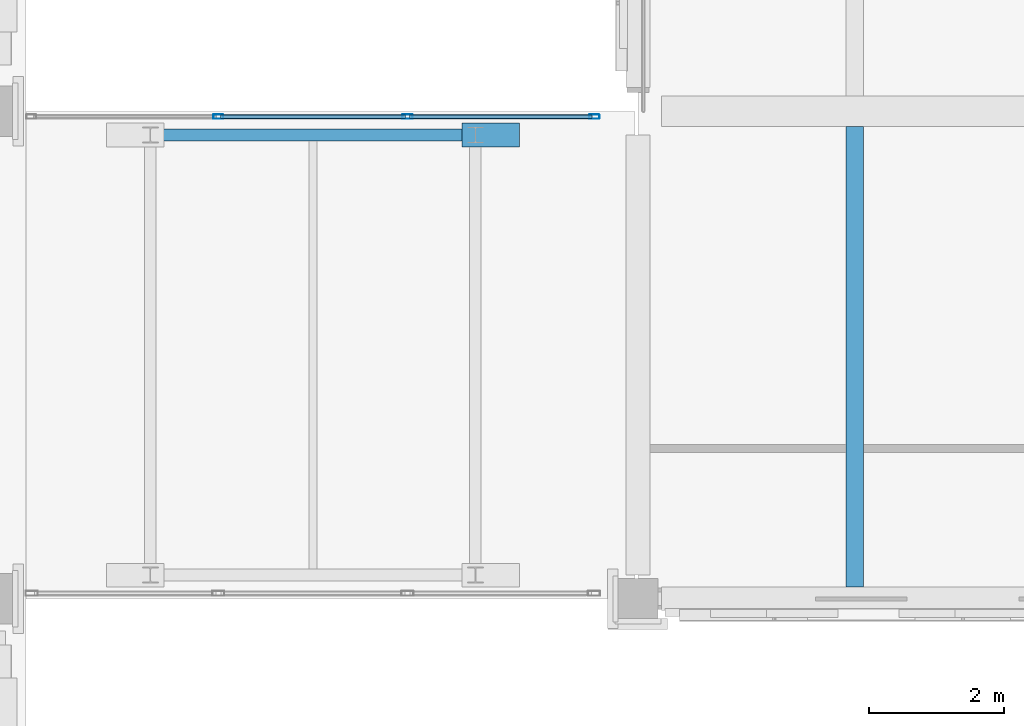
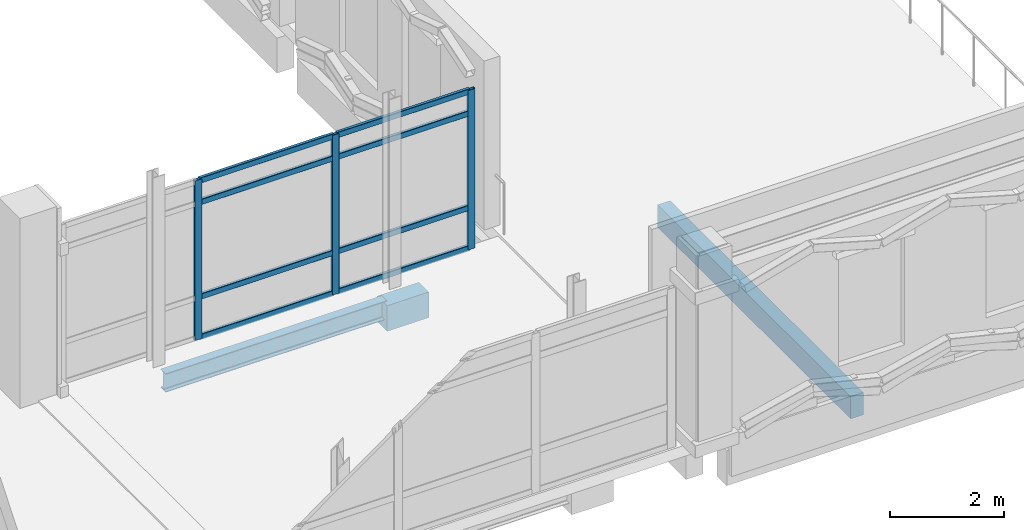
# One storey, part 109 of 180: 11 members, 3 beams, 1 element without a shape of its own.
"""IFC4 building model written with IfcOpenShell, lengths in metres."""

from ifc_helpers import new_model, si_unit, direction, frame, origin, origin_2d, place, context, subcontext, project, spatial, rectangle, hollow_rectangle, i_section, extrude, material, layer, layer_set, material_profile, profile_set, type_object, element, aggregate, save


model = new_model("IFC4")

# Units and contexts
model_context = context("Model", 3, precision=1e-05, world=origin(), true_north=direction((0.0, 1.0)))
body_context = subcontext(model_context, "Body", "Model", "MODEL_VIEW")
ifc_project = project(units=[si_unit("LENGTHUNIT", "METRE"), si_unit("AREAUNIT", "SQUARE_METRE"), si_unit("VOLUMEUNIT", "CUBIC_METRE"), si_unit("PLANEANGLEUNIT", "RADIAN"), si_unit("MASSUNIT", "GRAM", prefix="KILO")], contexts=[model_context])

# Site, building, storey
site_placement = place(None, origin())
site = spatial("IfcSite", under=ifc_project, at=site_placement, CompositionType="ELEMENT")
building_placement = place(site_placement, origin())
building = spatial("IfcBuilding", under=site, at=building_placement, Name="Asteropetra Specialist Clinic", CompositionType="ELEMENT")
storey_placement = place(building_placement, frame((0.0, 0.0, 4.419921875)))
storey = spatial("IfcBuildingStorey", under=building, at=storey_placement, Name="L01", CompositionType="ELEMENT", Elevation=4.419921875)

# Beams
ifc_material_1 = material(Name="Concrete C35/45", Category="concrete")
ifc_material_profile_1 = material_profile(ifc_material_1, rectangle(XDim=0.35009765625, YDim=0.550048828125, at=origin_2d()), Name="RCB 350x550")
ifc_profile_set_1 = profile_set([ifc_material_profile_1], Name="Concrete C35/45")
beam_type_1 = type_object("IfcBeamType", Name="BM-RC350x550", PredefinedType="BEAM", material=ifc_profile_set_1)
beam_1_placement = place(storey_placement, frame((83.800048828125, 83.64990234375, -0.559814453125), z_axis=(1.0, 0.0, 0.0), x_axis=(0.0, 1.0, 0.0)))
element("IfcBeam", 1, at=beam_1_placement, inside=storey, type_object=beam_type_1, Name="Bridge Bearing Seat Corbel CRB-24", PredefinedType="BEAM", context=body_context, shape_type="SweptSolid", body=[
    extrude(rectangle(XDim=0.35009765625, YDim=0.550048828125, at=origin_2d()), origin(), (0.0, 0.0, 1.0), 0.849853515625),
])
ifc_material_2 = material(Name="Steel S355", Category="steel")
ifc_material_profile_2 = material_profile(ifc_material_2, i_section(OverallWidth=0.179931640625, OverallDepth=0.39990234375, WebThickness=0.008544921875, FlangeThickness=0.013427734375, FilletRadius=0.02099609375, at=origin_2d()), Name="IPE 400")
ifc_profile_set_2 = profile_set([ifc_material_profile_2], Name="Steel S355")
beam_type_2 = type_object("IfcBeamType", Name="BM-STL-IPE400", PredefinedType="BEAM", material=ifc_profile_set_2)
beam_2_placement = place(storey_placement, frame((79.35009765625, 83.64990234375, -0.43994140625), z_axis=(1.0, 0.0, 0.0), x_axis=(0.0, 1.0, 0.0)))
element("IfcBeam", 2, at=beam_2_placement, inside=storey, type_object=beam_type_2, Name="Beam BBMS3-0823", PredefinedType="BEAM", context=body_context, shape_type="SweptSolid", body=[
    extrude(i_section(OverallWidth=0.179931640625, OverallDepth=0.39990234375, WebThickness=0.008544921875, FlangeThickness=0.013427734375, FilletRadius=0.02099609375, at=origin_2d()), origin(), (0.0, 0.0, 1.0), 4.5),
])

# Curtain wall, members
ifc_material_3 = material(Name="Aluminium and low-E glass", Category="aluminium")
ifc_layer = layer(ifc_material_3, 0.14990234375)
ifc_layer_set = layer_set([ifc_layer], Name="Aluminium and low-E glass")
curtain_wall_type = type_object("IfcCurtainWallType", Name="CW-SYS-02", PredefinedType="USERDEFINED", material=ifc_layer_set)
curtain_wall_placement = place(storey_placement, origin())
curtain_wall = element("IfcCurtainWall", 3, at=curtain_wall_placement, inside=storey, type_object=curtain_wall_type, Name="Curtain Wall CW-112", ObjectType="UNITISED CURTAIN WALL", PredefinedType="USERDEFINED")
ifc_material_4 = material(Name="Aluminium 6063-T6", Category="aluminium")
ifc_material_profile_3 = material_profile(ifc_material_4, hollow_rectangle(XDim=0.06494140625, YDim=0.14990234375, WallThickness=0.00390625, InnerFilletRadius=0.00390625, OuterFilletRadius=0.008056640625, at=origin_2d()), Name="MUL 150x65x4.0")
ifc_profile_set_3 = profile_set([ifc_material_profile_3], Name="Aluminium 6063-T6")
member_type_1 = type_object("IfcMemberType", Name="CWM-150x65", PredefinedType="MULLION", material=ifc_profile_set_3)
member_1_placement = place(storey_placement, frame((85.757568359375, 83.919921875, 0.0), z_axis=(0.0, 0.0, 1.0), x_axis=(0.0, -1.0, 0.0)))
member_1 = element("IfcMember", 4, at=member_1_placement, type_object=member_type_1, Name="CW-112 mullion 1", PredefinedType="MULLION", context=body_context, shape_type="SweptSolid", body=[
    extrude(hollow_rectangle(XDim=0.06494140625, YDim=0.14990234375, WallThickness=0.00390625, InnerFilletRadius=0.00390625, OuterFilletRadius=0.008056640625, at=origin_2d()), origin(), (0.0, 0.0, 1.0), 3.43017578125),
])
member_2_placement = place(storey_placement, frame((82.99658203125, 83.919921875, 0.0), z_axis=(0.0, 0.0, 1.0), x_axis=(0.0, -1.0, 0.0)))
member_2 = element("IfcMember", 5, at=member_2_placement, type_object=member_type_1, Name="CW-112 mullion 2", PredefinedType="MULLION", context=body_context, shape_type="SweptSolid", body=[
    extrude(hollow_rectangle(XDim=0.06494140625, YDim=0.14990234375, WallThickness=0.00390625, InnerFilletRadius=0.00390625, OuterFilletRadius=0.008056640625, at=origin_2d()), origin(), (0.0, 0.0, 1.0), 3.43017578125),
])
member_3_placement = place(storey_placement, frame((80.203369140625, 83.919921875, 0.0), z_axis=(0.0, 0.0, 1.0), x_axis=(0.0, -1.0, 0.0)))
member_3 = element("IfcMember", 6, at=member_3_placement, type_object=member_type_1, Name="CW-112 mullion 3", PredefinedType="MULLION", context=body_context, shape_type="SweptSolid", body=[
    extrude(hollow_rectangle(XDim=0.06494140625, YDim=0.14990234375, WallThickness=0.00390625, InnerFilletRadius=0.00390625, OuterFilletRadius=0.008056640625, at=origin_2d()), origin(), (0.0, 0.0, 1.0), 3.43017578125),
])
ifc_material_5 = material(Name="Aluminium 6063-T6", Category="aluminium")
ifc_material_profile_4 = material_profile(ifc_material_5, hollow_rectangle(XDim=0.06494140625, YDim=0.1201171875, WallThickness=0.00390625, InnerFilletRadius=0.00390625, OuterFilletRadius=0.008056640625, at=origin_2d()), Name="TRN 120x65x4.0")
ifc_profile_set_4 = profile_set([ifc_material_profile_4], Name="Aluminium 6063-T6")
member_type_2 = type_object("IfcMemberType", Name="CWT-120x65", PredefinedType="USERDEFINED", material=ifc_profile_set_4)
member_4_placement = place(storey_placement, frame((85.72509765625, 83.919921875, 0.032470703125), z_axis=(-1.0, 0.0, 0.0), x_axis=(0.0, -1.0, 0.0)))
member_4 = element("IfcMember", 7, at=member_4_placement, type_object=member_type_2, Name="CW-112 transom 1.1", ObjectType="TRANSOM", PredefinedType="USERDEFINED", context=body_context, shape_type="SweptSolid", body=[
    extrude(hollow_rectangle(XDim=0.06494140625, YDim=0.1201171875, WallThickness=0.00390625, InnerFilletRadius=0.00390625, OuterFilletRadius=0.008056640625, at=origin_2d()), origin(), (0.0, 0.0, 1.0), 2.696044921875),
])
member_5_placement = place(storey_placement, frame((85.72509765625, 83.919921875, 0.900146484375), z_axis=(-1.0, 0.0, 0.0), x_axis=(0.0, -1.0, 0.0)))
member_5 = element("IfcMember", 8, at=member_5_placement, type_object=member_type_2, Name="CW-112 transom 1.2", ObjectType="TRANSOM", PredefinedType="USERDEFINED", context=body_context, shape_type="SweptSolid", body=[
    extrude(hollow_rectangle(XDim=0.06494140625, YDim=0.1201171875, WallThickness=0.00390625, InnerFilletRadius=0.00390625, OuterFilletRadius=0.008056640625, at=origin_2d()), origin(), (0.0, 0.0, 1.0), 2.696044921875),
])
member_6_placement = place(storey_placement, frame((85.72509765625, 83.919921875, 2.93017578125), z_axis=(-1.0, 0.0, 0.0), x_axis=(0.0, -1.0, 0.0)))
member_6 = element("IfcMember", 9, at=member_6_placement, type_object=member_type_2, Name="CW-112 transom 1.3", ObjectType="TRANSOM", PredefinedType="USERDEFINED", context=body_context, shape_type="SweptSolid", body=[
    extrude(hollow_rectangle(XDim=0.06494140625, YDim=0.1201171875, WallThickness=0.00390625, InnerFilletRadius=0.00390625, OuterFilletRadius=0.008056640625, at=origin_2d()), origin(), (0.0, 0.0, 1.0), 2.696044921875),
])
member_7_placement = place(storey_placement, frame((85.72509765625, 83.919921875, 3.3974609375), z_axis=(-1.0, 0.0, 0.0), x_axis=(0.0, -1.0, 0.0)))
member_7 = element("IfcMember", 10, at=member_7_placement, type_object=member_type_2, Name="CW-112 transom 1.4", ObjectType="TRANSOM", PredefinedType="USERDEFINED", context=body_context, shape_type="SweptSolid", body=[
    extrude(hollow_rectangle(XDim=0.06494140625, YDim=0.1201171875, WallThickness=0.00390625, InnerFilletRadius=0.00390625, OuterFilletRadius=0.008056640625, at=origin_2d()), origin(), (0.0, 0.0, 1.0), 2.696044921875),
])
member_8_placement = place(storey_placement, frame((82.964111328125, 83.919921875, 0.032470703125), z_axis=(-1.0, 0.0, 0.0), x_axis=(0.0, -1.0, 0.0)))
member_8 = element("IfcMember", 11, at=member_8_placement, type_object=member_type_2, Name="CW-112 transom 2.1", ObjectType="TRANSOM", PredefinedType="USERDEFINED", context=body_context, shape_type="SweptSolid", body=[
    extrude(hollow_rectangle(XDim=0.06494140625, YDim=0.1201171875, WallThickness=0.00390625, InnerFilletRadius=0.00390625, OuterFilletRadius=0.008056640625, at=origin_2d()), origin(), (0.0, 0.0, 1.0), 2.728271484375),
])
member_9_placement = place(storey_placement, frame((82.964111328125, 83.919921875, 0.900146484375), z_axis=(-1.0, 0.0, 0.0), x_axis=(0.0, -1.0, 0.0)))
member_9 = element("IfcMember", 12, at=member_9_placement, type_object=member_type_2, Name="CW-112 transom 2.2", ObjectType="TRANSOM", PredefinedType="USERDEFINED", context=body_context, shape_type="SweptSolid", body=[
    extrude(hollow_rectangle(XDim=0.06494140625, YDim=0.1201171875, WallThickness=0.00390625, InnerFilletRadius=0.00390625, OuterFilletRadius=0.008056640625, at=origin_2d()), origin(), (0.0, 0.0, 1.0), 2.728271484375),
])
member_10_placement = place(storey_placement, frame((82.964111328125, 83.919921875, 2.93017578125), z_axis=(-1.0, 0.0, 0.0), x_axis=(0.0, -1.0, 0.0)))
member_10 = element("IfcMember", 13, at=member_10_placement, type_object=member_type_2, Name="CW-112 transom 2.3", ObjectType="TRANSOM", PredefinedType="USERDEFINED", context=body_context, shape_type="SweptSolid", body=[
    extrude(hollow_rectangle(XDim=0.06494140625, YDim=0.1201171875, WallThickness=0.00390625, InnerFilletRadius=0.00390625, OuterFilletRadius=0.008056640625, at=origin_2d()), origin(), (0.0, 0.0, 1.0), 2.728271484375),
])
member_11_placement = place(storey_placement, frame((82.964111328125, 83.919921875, 3.3974609375), z_axis=(-1.0, 0.0, 0.0), x_axis=(0.0, -1.0, 0.0)))
member_11 = element("IfcMember", 14, at=member_11_placement, type_object=member_type_2, Name="CW-112 transom 2.4", ObjectType="TRANSOM", PredefinedType="USERDEFINED", context=body_context, shape_type="SweptSolid", body=[
    extrude(hollow_rectangle(XDim=0.06494140625, YDim=0.1201171875, WallThickness=0.00390625, InnerFilletRadius=0.00390625, OuterFilletRadius=0.008056640625, at=origin_2d()), origin(), (0.0, 0.0, 1.0), 2.728271484375),
])
aggregate(curtain_wall, [member_1, member_2, member_3, member_4, member_5, member_6, member_7, member_8, member_9, member_10, member_11])

# Beam
ifc_material_6 = material(Name="Concrete C35/45", Category="concrete")
ifc_material_profile_5 = material_profile(ifc_material_6, rectangle(XDim=0.260009765625, YDim=0.47998046875, at=origin_2d()), Name="RCJ 260x480")
ifc_profile_set_5 = profile_set([ifc_material_profile_5], Name="Concrete C35/45")
beam_type_3 = type_object("IfcBeamType", Name="JST-RC260x480", PredefinedType="JOIST", material=ifc_profile_set_5)
beam_3_placement = place(storey_placement, frame((89.60009765625, 76.97509765625, -0.52001953125), z_axis=(0.0, 1.0, 0.0), x_axis=(-1.0, 0.0, 0.0)))
element("IfcBeam", 15, at=beam_3_placement, inside=storey, type_object=beam_type_3, Name="Joist JJST02-0592", PredefinedType="JOIST", context=body_context, shape_type="SweptSolid", body=[
    extrude(rectangle(XDim=0.260009765625, YDim=0.47998046875, at=origin_2d()), origin(), (0.0, 0.0, 1.0), 6.7998046875),
])

save(model, "model.ifc")
